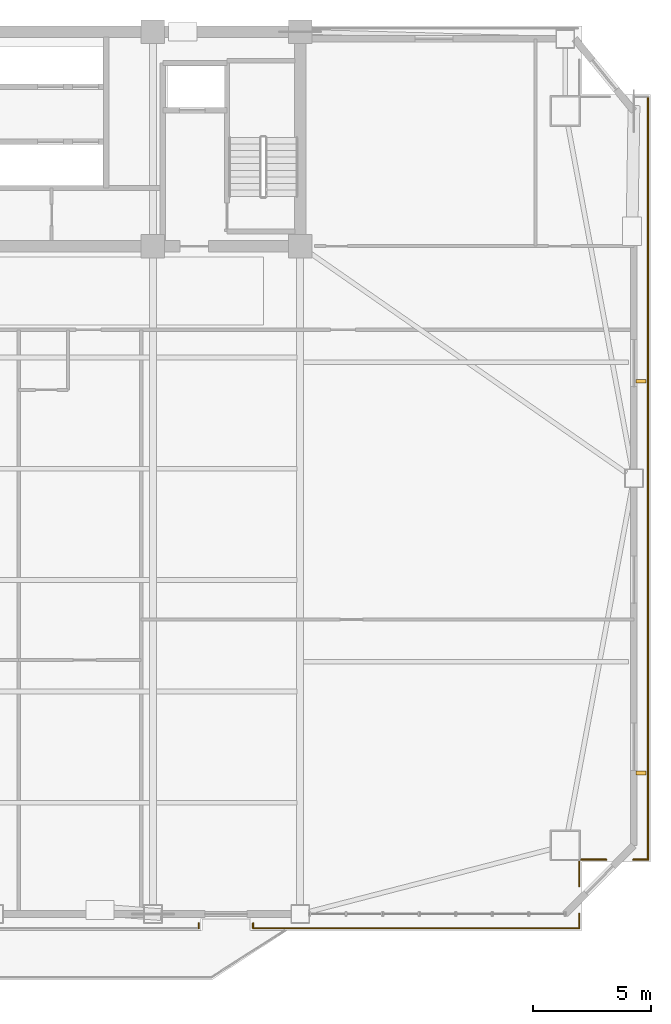
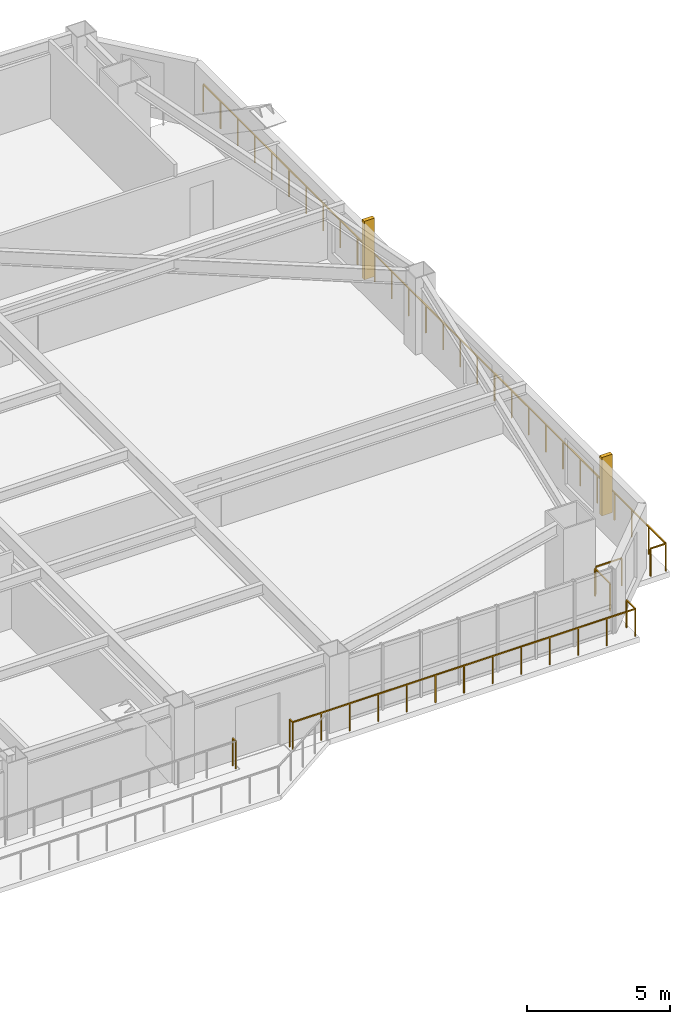
# One storey, part 14 of 16: 8 railings, 2 shading devices.
"""IFC4 building model written with IfcOpenShell, lengths in metres."""

import ifcopenshell
import ifcopenshell.guid

model = None  # the IFC model being written
_history = None  # IfcOwnerHistory: only IFC2X3 demands one
_inside = {}  # id of a spatial element -> (the spatial element, [elements in it])
_under = {}  # id of a project, library or spatial element -> (it, [spatial elements below it])
_declared = {}  # id of a project -> (the project, [libraries it declares])
_typed = {}  # id of a type object -> (the type object, [elements of that type])
_made_of = {}  # id of a material, layer set ... -> (it, [elements and type objects made of it])


def new_model(schema):
    """Start an empty IFC model of exactly this schema.

    Asked for "IFC4X3", IfcOpenShell would pick the latest addendum, in which some entities
    have other attributes; the version numbers below select the first issue.
    IFC2X3 requires an IfcOwnerHistory on every rooted entity: one is made here for all.
    """
    global model, _history
    if schema == "IFC4X3":
        model = ifcopenshell.file(schema_version=(4, 3, 0, 0))
    else:
        model = ifcopenshell.file(schema=schema)
    _inside.clear()
    _under.clear()
    _declared.clear()
    _typed.clear()
    _made_of.clear()
    _history = None
    if model.schema == "IFC2X3":
        org = make("IfcOrganization", Name="unknown")
        user = make(
            "IfcPersonAndOrganization",
            ThePerson=make("IfcPerson", FamilyName="unknown"),
            TheOrganization=org,
        )
        app = make(
            "IfcApplication",
            ApplicationDeveloper=org,
            Version="unknown",
            ApplicationFullName="unknown",
            ApplicationIdentifier="unknown",
        )
        _history = make(
            "IfcOwnerHistory",
            OwningUser=user,
            OwningApplication=app,
            ChangeAction="ADDED",
            CreationDate=0,
        )
    return model


def make(cls, **values):
    """One entity of the class cls with the attributes given. An attribute that is None is left unset."""
    return model.create_entity(
        cls, **{name: value for name, value in values.items() if value is not None}
    )


def rooted(cls, **values):
    """An entity with a GlobalId (a new one), such as an element, a storey or a relation."""
    return make(cls, GlobalId=ifcopenshell.guid.new(), OwnerHistory=_history, **values)


def si_unit(unit_type, name, prefix=None):
    """IfcSIUnit, for example si_unit("LENGTHUNIT", "METRE", prefix="MILLI")."""
    return make("IfcSIUnit", UnitType=unit_type, Prefix=prefix, Name=name)


def assignment(units):
    """IfcUnitAssignment: the units of a project."""
    return None if units is None else make("IfcUnitAssignment", Units=units)


def point(xyz):
    """IfcCartesianPoint."""
    return None if xyz is None else make("IfcCartesianPoint", Coordinates=xyz)


def direction(xyz):
    """IfcDirection."""
    return None if xyz is None else make("IfcDirection", DirectionRatios=xyz)


def frame(location, z_axis=None, x_axis=None):
    """IfcAxis2Placement3D, a coordinate frame: its origin and axes. An axis left out is left unset."""
    return make(
        "IfcAxis2Placement3D",
        Location=point(location),
        Axis=direction(z_axis),
        RefDirection=direction(x_axis),
    )


def frame_2d(location, x_axis=None):
    """IfcAxis2Placement2D, a coordinate frame in the plane: its origin and x axis."""
    return make(
        "IfcAxis2Placement2D", Location=point(location), RefDirection=direction(x_axis)
    )


def origin():
    """The frame at (0, 0, 0) with its axes left unset."""
    return frame((0.0, 0.0, 0.0))


def origin_2d():
    """The frame at (0, 0) in the plane with its x axis left unset."""
    return frame_2d((0.0, 0.0))


def place(relative_to, where):
    """IfcLocalPlacement: puts the frame where relative to a parent placement (None: the world)."""
    return make(
        "IfcLocalPlacement", PlacementRelTo=relative_to, RelativePlacement=where
    )


def context(
    kind, dimensions, precision=None, world=None, true_north=None, identifier=None
):
    """IfcGeometricRepresentationContext, for example the 3D "Model" context."""
    return make(
        "IfcGeometricRepresentationContext",
        ContextIdentifier=identifier,
        ContextType=kind,
        CoordinateSpaceDimension=dimensions,
        Precision=precision,
        WorldCoordinateSystem=world,
        TrueNorth=true_north,
    )


def subcontext(parent, identifier, kind, view, scale=None):
    """IfcGeometricRepresentationSubContext, for example "Body" below "Model"."""
    return make(
        "IfcGeometricRepresentationSubContext",
        ContextIdentifier=identifier,
        ContextType=kind,
        ParentContext=parent,
        TargetScale=scale,
        TargetView=view,
    )


def project(units=None, contexts=None):
    """IfcProject with its units and contexts."""
    return rooted(
        "IfcProject",
        Name="project",
        RepresentationContexts=contexts,
        UnitsInContext=assignment(units),
    )


def spatial(cls, under=None, at=None, **own):
    """A site, building, storey or space (cls), placed at a placement, below another one or the project."""
    s = rooted(cls, ObjectPlacement=at, **own)
    if under is not None:
        _under.setdefault(under.id(), (under, []))[1].append(s)
    return s


def profile(cls, at=None, kind="AREA", **sizes):
    """A parametric profile (cls). Its sizes go by their IFC names, for example OverallWidth=200.0."""
    return make(cls, ProfileType=kind, Position=at, **sizes)


def rectangle(**sizes):
    """IfcRectangleProfileDef."""
    return profile("IfcRectangleProfileDef", **sizes)


def extrude(swept, where, along, depth):
    """IfcExtrudedAreaSolid: the profile swept, set in the frame where, extruded along a direction by depth."""
    return make(
        "IfcExtrudedAreaSolid",
        SweptArea=swept,
        Position=where,
        ExtrudedDirection=direction(along),
        Depth=depth,
    )


def shape(context_of_items, identifier, shape_type, items):
    """IfcShapeRepresentation: the items that make up one representation, for example the "Body"."""
    return make(
        "IfcShapeRepresentation",
        ContextOfItems=context_of_items,
        RepresentationIdentifier=identifier,
        RepresentationType=shape_type,
        Items=items,
    )


def source(mapping_origin, context_of_items, identifier, shape_type, items):
    """IfcRepresentationMap: a shape defined once, which mapped items show again and again."""
    return make(
        "IfcRepresentationMap",
        MappingOrigin=mapping_origin,
        MappedRepresentation=shape(context_of_items, identifier, shape_type, items),
    )


def transform(
    local_origin,
    x_axis=None,
    y_axis=None,
    z_axis=None,
    scale=None,
    scale2=None,
    scale3=None,
    uniform=True,
):
    """IfcCartesianTransformationOperator3D, or its non-uniform kind. x_axis, y_axis, z_axis: its Axis1, 2, 3."""
    if uniform:
        return make(
            "IfcCartesianTransformationOperator3D",
            Axis1=direction(x_axis),
            Axis2=direction(y_axis),
            LocalOrigin=point(local_origin),
            Scale=scale,
            Axis3=direction(z_axis),
        )
    return make(
        "IfcCartesianTransformationOperator3DnonUniform",
        Axis1=direction(x_axis),
        Axis2=direction(y_axis),
        LocalOrigin=point(local_origin),
        Scale=scale,
        Axis3=direction(z_axis),
        Scale2=scale2,
        Scale3=scale3,
    )


def mapped(mapping_source, mapping_target):
    """IfcMappedItem: shows the shape of a source again, moved by a transform."""
    return make(
        "IfcMappedItem", MappingSource=mapping_source, MappingTarget=mapping_target
    )


def material(Name=None, Category=None):
    """IfcMaterial."""
    return make("IfcMaterial", Name=Name, Category=Category)


def made_of(thing, what):
    """Note that an element or type object is made of a material, layer set ...; save() writes the relation."""
    if what is not None:
        _made_of.setdefault(what.id(), (what, []))[1].append(thing)
    return thing


def type_object(cls, material=None, **own):
    """A type object (cls), such as IfcWallType, which elements share."""
    return made_of(rooted(cls, **own), material)


def element(
    cls,
    number,
    at=None,
    inside=None,
    cuts=None,
    type_object=None,
    material=None,
    context=None,
    identifier="Body",
    shape_type=None,
    held_by="IfcProductDefinitionShape",
    body=None,
    shapes=None,
    **own,
):
    """One element of the class cls, such as IfcWall. Its Tag is "e" and its number.

    at: its placement. inside: the storey or other place that contains it. cuts: it is an
    opening in that element (IfcRelVoidsElement). A single representation is given by context,
    identifier, shape_type and body (its items); several are given by shapes. held_by: the class
    of the entity that holds the representations. save() writes the other relations.
    """
    e = rooted(cls, Tag="e%d" % number, ObjectPlacement=at, **own)
    if body is not None:
        shapes = [shape(context, identifier, shape_type, body)]
    if shapes is not None:
        e.Representation = make(held_by, Representations=shapes)
    if inside is not None:
        _inside.setdefault(inside.id(), (inside, []))[1].append(e)
    if cuts is not None:
        rooted(
            "IfcRelVoidsElement", RelatingBuildingElement=cuts, RelatedOpeningElement=e
        )
    if type_object is not None:
        _typed.setdefault(type_object.id(), (type_object, []))[1].append(e)
    return made_of(e, material)


def aggregate(whole, parts):
    """IfcRelAggregates: a whole, such as a stair, and the parts it consists of."""
    return rooted("IfcRelAggregates", RelatingObject=whole, RelatedObjects=parts)


def save(model, path):
    """Write the relations noted so far, then the file.

    IfcRelAggregates (storeys below a building ...), IfcRelContainedInSpatialStructure (elements
    in a storey), IfcRelDefinesByType, IfcRelAssociatesMaterial and IfcRelDeclares: one each for
    every whole, place, type object, material and project.
    """
    for whole, parts in _under.values():
        aggregate(whole, parts)
    for where, things in _inside.values():
        rooted(
            "IfcRelContainedInSpatialStructure",
            RelatedElements=things,
            RelatingStructure=where,
        )
    for kind, things in _typed.values():
        rooted("IfcRelDefinesByType", RelatedObjects=things, RelatingType=kind)
    for what, things in _made_of.values():
        rooted("IfcRelAssociatesMaterial", RelatedObjects=things, RelatingMaterial=what)
    for by, libraries in _declared.values():
        rooted("IfcRelDeclares", RelatingContext=by, RelatedDefinitions=libraries)
    model.write(path)


model = new_model("IFC4")

# Units and contexts
model_context = context("Model", 3, precision=1e-05, world=origin(), true_north=direction((0.0, 1.0)))
body_context = subcontext(model_context, "Body", "Model", "MODEL_VIEW")
ifc_project = project(units=[si_unit("LENGTHUNIT", "METRE"), si_unit("AREAUNIT", "SQUARE_METRE"), si_unit("VOLUMEUNIT", "CUBIC_METRE"), si_unit("PLANEANGLEUNIT", "RADIAN"), si_unit("MASSUNIT", "GRAM", prefix="KILO")], contexts=[model_context])

# Site, building, storey
site_placement = place(None, origin())
site = spatial("IfcSite", under=ifc_project, at=site_placement, CompositionType="ELEMENT")
building_placement = place(site_placement, origin())
building = spatial("IfcBuilding", under=site, at=building_placement, Name="Giltprow Tower", CompositionType="ELEMENT")
storey_placement = place(building_placement, frame((0.0, 0.0, 159.699951171875)))
storey = spatial("IfcBuildingStorey", under=building, at=storey_placement, Name="L39", CompositionType="ELEMENT", Elevation=159.699951171875)

# Railings
ifc_material = material(Name="Anodized bronze", Category="metal")
railing_type = type_object("IfcRailingType", Name="RAIL-BALC-GUARD-1200", PredefinedType="BALUSTRADE", material=ifc_material)
railing_1_placement = place(storey_placement, frame((65.31591796875, 43.787109375, 0.0)))
element("IfcRailing", 1, at=railing_1_placement, inside=storey, type_object=railing_type, Name="L39 Corner Apron Edge Balustrade 14", PredefinedType="BALUSTRADE", context=body_context, shape_type="SweptSolid", body=[
    extrude(rectangle(XDim=0.048095703125, YDim=0.048095703125, at=origin_2d()), frame((0.0, 0.0, 1.17578125), z_axis=(0.0, -1.0, 0.0), x_axis=(1.0, 0.0, 0.0)), (0.0, 0.0, 1.0), 32.376220703125),
    extrude(rectangle(XDim=0.0419921875, YDim=0.0419921875, at=origin_2d()), origin(), (0.0, 0.0, 1.0), 1.15185546875),
    extrude(rectangle(XDim=0.0419921875, YDim=0.0419921875, at=origin_2d()), frame((0.0, -1.19921875, 0.0)), (0.0, 0.0, 1.0), 1.15185546875),
    extrude(rectangle(XDim=0.0419921875, YDim=0.0419921875, at=origin_2d()), frame((0.0, -2.398193359375, 0.0)), (0.0, 0.0, 1.0), 1.15185546875),
    extrude(rectangle(XDim=0.0419921875, YDim=0.0419921875, at=origin_2d()), frame((0.0, -3.597412109375, 0.0)), (0.0, 0.0, 1.0), 1.15185546875),
    extrude(rectangle(XDim=0.0419921875, YDim=0.0419921875, at=origin_2d()), frame((0.0, -4.79638671875, 0.0)), (0.0, 0.0, 1.0), 1.15185546875),
    extrude(rectangle(XDim=0.0419921875, YDim=0.0419921875, at=origin_2d()), frame((0.0, -5.99560546875, 0.0)), (0.0, 0.0, 1.0), 1.15185546875),
    extrude(rectangle(XDim=0.0419921875, YDim=0.0419921875, at=origin_2d()), frame((0.0, -7.19482421875, 0.0)), (0.0, 0.0, 1.0), 1.15185546875),
    extrude(rectangle(XDim=0.0419921875, YDim=0.0419921875, at=origin_2d()), frame((0.0, -8.393798828125, 0.0)), (0.0, 0.0, 1.0), 1.15185546875),
    extrude(rectangle(XDim=0.0419921875, YDim=0.0419921875, at=origin_2d()), frame((0.0, -9.593017578125, 0.0)), (0.0, 0.0, 1.0), 1.15185546875),
    extrude(rectangle(XDim=0.0419921875, YDim=0.0419921875, at=origin_2d()), frame((0.0, -10.7919921875, 0.0)), (0.0, 0.0, 1.0), 1.15185546875),
    extrude(rectangle(XDim=0.0419921875, YDim=0.0419921875, at=origin_2d()), frame((0.0, -11.9912109375, 0.0)), (0.0, 0.0, 1.0), 1.15185546875),
    extrude(rectangle(XDim=0.0419921875, YDim=0.0419921875, at=origin_2d()), frame((0.0, -13.1904296875, 0.0)), (0.0, 0.0, 1.0), 1.15185546875),
    extrude(rectangle(XDim=0.0419921875, YDim=0.0419921875, at=origin_2d()), frame((0.0, -14.389404296875, 0.0)), (0.0, 0.0, 1.0), 1.15185546875),
    extrude(rectangle(XDim=0.0419921875, YDim=0.0419921875, at=origin_2d()), frame((0.0, -15.588623046875, 0.0)), (0.0, 0.0, 1.0), 1.15185546875),
    extrude(rectangle(XDim=0.0419921875, YDim=0.0419921875, at=origin_2d()), frame((0.0, -16.78759765625, 0.0)), (0.0, 0.0, 1.0), 1.15185546875),
    extrude(rectangle(XDim=0.0419921875, YDim=0.0419921875, at=origin_2d()), frame((0.0, -17.98681640625, 0.0)), (0.0, 0.0, 1.0), 1.15185546875),
    extrude(rectangle(XDim=0.0419921875, YDim=0.0419921875, at=origin_2d()), frame((0.0, -19.185791015625, 0.0)), (0.0, 0.0, 1.0), 1.15185546875),
    extrude(rectangle(XDim=0.0419921875, YDim=0.0419921875, at=origin_2d()), frame((0.0, -20.385009765625, 0.0)), (0.0, 0.0, 1.0), 1.15185546875),
    extrude(rectangle(XDim=0.0419921875, YDim=0.0419921875, at=origin_2d()), frame((0.0, -21.584228515625, 0.0)), (0.0, 0.0, 1.0), 1.15185546875),
    extrude(rectangle(XDim=0.0419921875, YDim=0.0419921875, at=origin_2d()), frame((0.0, -22.783203125, 0.0)), (0.0, 0.0, 1.0), 1.15185546875),
    extrude(rectangle(XDim=0.0419921875, YDim=0.0419921875, at=origin_2d()), frame((0.0, -23.982421875, 0.0)), (0.0, 0.0, 1.0), 1.15185546875),
    extrude(rectangle(XDim=0.0419921875, YDim=0.0419921875, at=origin_2d()), frame((0.0, -25.181396484375, 0.0)), (0.0, 0.0, 1.0), 1.15185546875),
    extrude(rectangle(XDim=0.0419921875, YDim=0.0419921875, at=origin_2d()), frame((0.0, -26.380615234375, 0.0)), (0.0, 0.0, 1.0), 1.15185546875),
    extrude(rectangle(XDim=0.0419921875, YDim=0.0419921875, at=origin_2d()), frame((0.0, -27.579833984375, 0.0)), (0.0, 0.0, 1.0), 1.15185546875),
    extrude(rectangle(XDim=0.0419921875, YDim=0.0419921875, at=origin_2d()), frame((0.0, -28.77880859375, 0.0)), (0.0, 0.0, 1.0), 1.15185546875),
    extrude(rectangle(XDim=0.0419921875, YDim=0.0419921875, at=origin_2d()), frame((0.0, -29.97802734375, 0.0)), (0.0, 0.0, 1.0), 1.15185546875),
    extrude(rectangle(XDim=0.0419921875, YDim=0.0419921875, at=origin_2d()), frame((0.0, -31.177001953125, 0.0)), (0.0, 0.0, 1.0), 1.15185546875),
    extrude(rectangle(XDim=0.0419921875, YDim=0.0419921875, at=origin_2d()), frame((0.0, -32.376220703125, 0.0)), (0.0, 0.0, 1.0), 1.15185546875),
])
railing_2_placement = place(storey_placement, frame((65.31591796875, 11.410888671875, 0.0)))
element("IfcRailing", 2, at=railing_2_placement, inside=storey, type_object=railing_type, Name="L39 Corner Apron Edge Balustrade 15", PredefinedType="BALUSTRADE", context=body_context, shape_type="SweptSolid", body=[
    extrude(rectangle(XDim=0.048095703125, YDim=0.048095703125, at=origin_2d()), frame((0.0, 0.0, 1.17578125), z_axis=(-1.0, 0.0, 0.0), x_axis=(0.0, -1.0, 0.0)), (0.0, 0.0, 1.0), 0.619873046875),
    extrude(rectangle(XDim=0.0419921875, YDim=0.0419921875, at=origin_2d()), origin(), (0.0, 0.0, 1.0), 1.15185546875),
    extrude(rectangle(XDim=0.0419921875, YDim=0.0419921875, at=origin_2d()), frame((-0.619873046875, 0.0, 0.0)), (0.0, 0.0, 1.0), 1.15185546875),
])
railing_3_placement = place(storey_placement, frame((63.535888671875, 11.410888671875, 0.0)))
element("IfcRailing", 3, at=railing_3_placement, inside=storey, type_object=railing_type, Name="L39 Corner Apron Edge Balustrade 16", PredefinedType="BALUSTRADE", context=body_context, shape_type="SweptSolid", body=[
    extrude(rectangle(XDim=0.048095703125, YDim=0.048095703125, at=origin_2d()), frame((0.0, 0.0, 1.17578125), z_axis=(-1.0, 0.0, 0.0), x_axis=(0.0, -1.0, 0.0)), (0.0, 0.0, 1.0), 1.0478515625),
    extrude(rectangle(XDim=0.0419921875, YDim=0.0419921875, at=origin_2d()), origin(), (0.0, 0.0, 1.0), 1.15185546875),
    extrude(rectangle(XDim=0.0419921875, YDim=0.0419921875, at=origin_2d()), frame((-1.0478515625, 0.0, 0.0)), (0.0, 0.0, 1.0), 1.15185546875),
])
railing_4_placement = place(storey_placement, frame((62.403076171875, 11.325927734375, 0.0)))
element("IfcRailing", 4, at=railing_4_placement, inside=storey, type_object=railing_type, Name="L39 Corner Apron Edge Balustrade 17", PredefinedType="BALUSTRADE", context=body_context, shape_type="SweptSolid", body=[
    extrude(rectangle(XDim=0.048095703125, YDim=0.048095703125, at=origin_2d()), frame((0.0, 0.0, 1.17578125), z_axis=(0.0, -1.0, 0.0), x_axis=(1.0, 0.0, 0.0)), (0.0, 0.0, 1.0), 1.0478515625),
    extrude(rectangle(XDim=0.0419921875, YDim=0.0419921875, at=origin_2d()), origin(), (0.0, 0.0, 1.0), 1.15185546875),
    extrude(rectangle(XDim=0.0419921875, YDim=0.0419921875, at=origin_2d()), frame((0.0, -1.0478515625, 0.0)), (0.0, 0.0, 1.0), 1.15185546875),
])
railing_5_placement = place(storey_placement, frame((62.403076171875, 9.117919921875, 0.0)))
element("IfcRailing", 5, at=railing_5_placement, inside=storey, type_object=railing_type, Name="L39 Corner Apron Edge Balustrade 18", PredefinedType="BALUSTRADE", context=body_context, shape_type="SweptSolid", body=[
    extrude(rectangle(XDim=0.048095703125, YDim=0.048095703125, at=origin_2d()), frame((0.0, 0.0, 1.17578125), z_axis=(0.0, -1.0, 0.0), x_axis=(1.0, 0.0, 0.0)), (0.0, 0.0, 1.0), 0.619873046875),
    extrude(rectangle(XDim=0.0419921875, YDim=0.0419921875, at=origin_2d()), origin(), (0.0, 0.0, 1.0), 1.15185546875),
    extrude(rectangle(XDim=0.0419921875, YDim=0.0419921875, at=origin_2d()), frame((0.0, -0.619873046875, 0.0)), (0.0, 0.0, 1.0), 1.15185546875),
])
railing_6_placement = place(storey_placement, frame((62.403076171875, 8.498046875, 0.0)))
element("IfcRailing", 6, at=railing_6_placement, inside=storey, type_object=railing_type, Name="L39 Corner Apron Edge Balustrade 19", PredefinedType="BALUSTRADE", context=body_context, shape_type="SweptSolid", body=[
    extrude(rectangle(XDim=0.048095703125, YDim=0.048095703125, at=origin_2d()), frame((0.0, 0.0, 1.17578125), z_axis=(-1.0, 0.0, 0.0), x_axis=(0.0, -1.0, 0.0)), (0.0, 0.0, 1.0), 13.85302734375),
    extrude(rectangle(XDim=0.0419921875, YDim=0.0419921875, at=origin_2d()), origin(), (0.0, 0.0, 1.0), 1.15185546875),
    extrude(rectangle(XDim=0.0419921875, YDim=0.0419921875, at=origin_2d()), frame((-1.154296875, 0.0, 0.0)), (0.0, 0.0, 1.0), 1.15185546875),
    extrude(rectangle(XDim=0.0419921875, YDim=0.0419921875, at=origin_2d()), frame((-2.308837890625, 0.0, 0.0)), (0.0, 0.0, 1.0), 1.15185546875),
    extrude(rectangle(XDim=0.0419921875, YDim=0.0419921875, at=origin_2d()), frame((-3.46337890625, 0.0, 0.0)), (0.0, 0.0, 1.0), 1.15185546875),
    extrude(rectangle(XDim=0.0419921875, YDim=0.0419921875, at=origin_2d()), frame((-4.61767578125, 0.0, 0.0)), (0.0, 0.0, 1.0), 1.15185546875),
    extrude(rectangle(XDim=0.0419921875, YDim=0.0419921875, at=origin_2d()), frame((-5.77197265625, 0.0, 0.0)), (0.0, 0.0, 1.0), 1.15185546875),
    extrude(rectangle(XDim=0.0419921875, YDim=0.0419921875, at=origin_2d()), frame((-6.926513671875, 0.0, 0.0)), (0.0, 0.0, 1.0), 1.15185546875),
    extrude(rectangle(XDim=0.0419921875, YDim=0.0419921875, at=origin_2d()), frame((-8.0810546875, 0.0, 0.0)), (0.0, 0.0, 1.0), 1.15185546875),
    extrude(rectangle(XDim=0.0419921875, YDim=0.0419921875, at=origin_2d()), frame((-9.2353515625, 0.0, 0.0)), (0.0, 0.0, 1.0), 1.15185546875),
    extrude(rectangle(XDim=0.0419921875, YDim=0.0419921875, at=origin_2d()), frame((-10.3896484375, 0.0, 0.0)), (0.0, 0.0, 1.0), 1.15185546875),
    extrude(rectangle(XDim=0.0419921875, YDim=0.0419921875, at=origin_2d()), frame((-11.544189453125, 0.0, 0.0)), (0.0, 0.0, 1.0), 1.15185546875),
    extrude(rectangle(XDim=0.0419921875, YDim=0.0419921875, at=origin_2d()), frame((-12.69873046875, 0.0, 0.0)), (0.0, 0.0, 1.0), 1.15185546875),
    extrude(rectangle(XDim=0.0419921875, YDim=0.0419921875, at=origin_2d()), frame((-13.85302734375, 0.0, 0.0)), (0.0, 0.0, 1.0), 1.15185546875),
])
railing_7_placement = place(storey_placement, frame((48.550048828125, 8.498046875, 0.0)))
element("IfcRailing", 7, at=railing_7_placement, inside=storey, type_object=railing_type, Name="L39 Corner Apron Edge Balustrade 20", PredefinedType="BALUSTRADE", context=body_context, shape_type="SweptSolid", body=[
    extrude(rectangle(XDim=0.048095703125, YDim=0.048095703125, at=origin_2d()), frame((0.0, 0.0, 1.17578125), z_axis=(0.0, 1.0, 0.0), x_axis=(-1.0, 0.0, 0.0)), (0.0, 0.0, 1.0), 0.199951171875),
    extrude(rectangle(XDim=0.0419921875, YDim=0.0419921875, at=origin_2d()), origin(), (0.0, 0.0, 1.0), 1.15185546875),
    extrude(rectangle(XDim=0.0419921875, YDim=0.0419921875, at=origin_2d()), frame((0.0, 0.199951171875, 0.0)), (0.0, 0.0, 1.0), 1.15185546875),
])
railing_8_placement = place(storey_placement, frame((46.25, 8.697998046875, 0.0)))
element("IfcRailing", 8, at=railing_8_placement, inside=storey, type_object=railing_type, Name="L39 Corner Apron Edge Balustrade 21", PredefinedType="BALUSTRADE", context=body_context, shape_type="SweptSolid", body=[
    extrude(rectangle(XDim=0.048095703125, YDim=0.048095703125, at=origin_2d()), frame((0.0, 0.0, 1.17578125), z_axis=(0.0, -1.0, 0.0), x_axis=(1.0, 0.0, 0.0)), (0.0, 0.0, 1.0), 0.199951171875),
    extrude(rectangle(XDim=0.0419921875, YDim=0.0419921875, at=origin_2d()), origin(), (0.0, 0.0, 1.0), 1.15185546875),
    extrude(rectangle(XDim=0.0419921875, YDim=0.0419921875, at=origin_2d()), frame((0.0, -0.199951171875, 0.0)), (0.0, 0.0, 1.0), 1.15185546875),
])

# Shading devices
shading_device_type = type_object("IfcShadingDeviceType", Name="SHD-FIN-420", PredefinedType="USERDEFINED", material=ifc_material)
shared_shape = source(origin(), body_context, "Body", "SweptSolid", [
    extrude(rectangle(XDim=0.419921875, YDim=0.159912109375, at=origin_2d()), origin(), (0.0, 0.0, 1.0), 2.5),
])
for number, where, z_axis, x_axis, name in (
    (9, (65.01611328125, 15.080078125, 0.35009765625), (0.0, 0.0, 1.0), (1.0, 0.0, 0.0), "L39 E Bronze Vertical Fin 1-1"),
    (10, (65.01611328125, 31.718994140625, 0.35009765625), (0.0, 0.0, 1.0), (1.0, 0.0, 0.0), "L39 E Bronze Vertical Fin 2-1"),
):
    element("IfcShadingDevice", number, at=place(storey_placement, frame(where, z_axis=z_axis, x_axis=x_axis)), inside=storey, type_object=shading_device_type, Name=name, ObjectType="FIN", PredefinedType="USERDEFINED", context=body_context, shape_type="MappedRepresentation", body=[
        mapped(shared_shape, transform((0.0, 0.0, 0.0), x_axis=(1.0, 0.0, 0.0), y_axis=(0.0, 1.0, 0.0), z_axis=(0.0, 0.0, 1.0), scale=1.0)),
    ])

save(model, "model.ifc")
